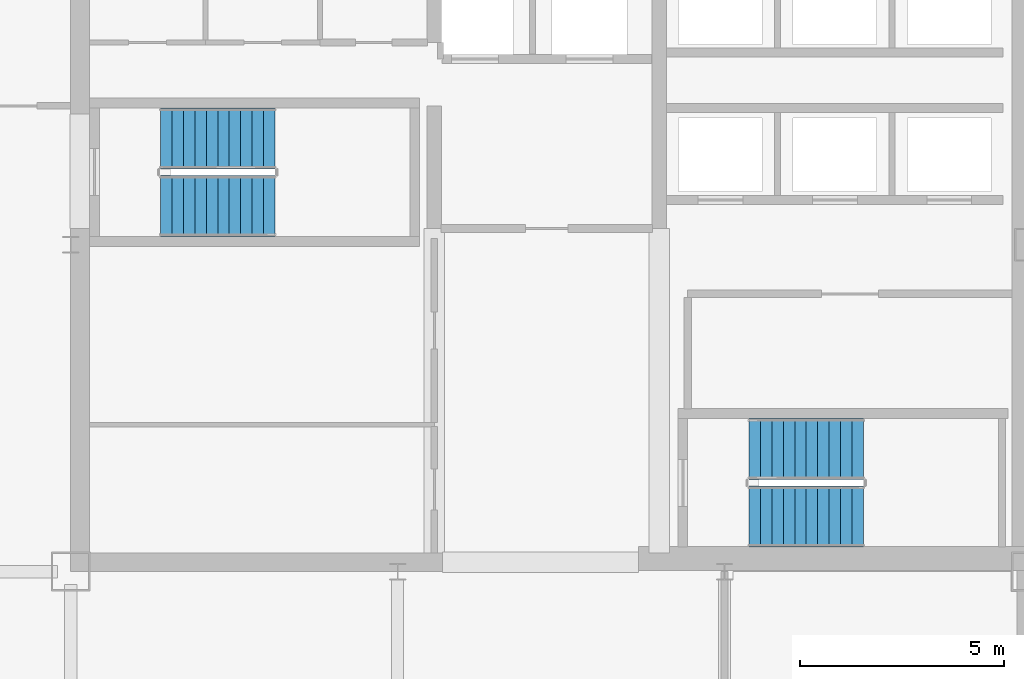
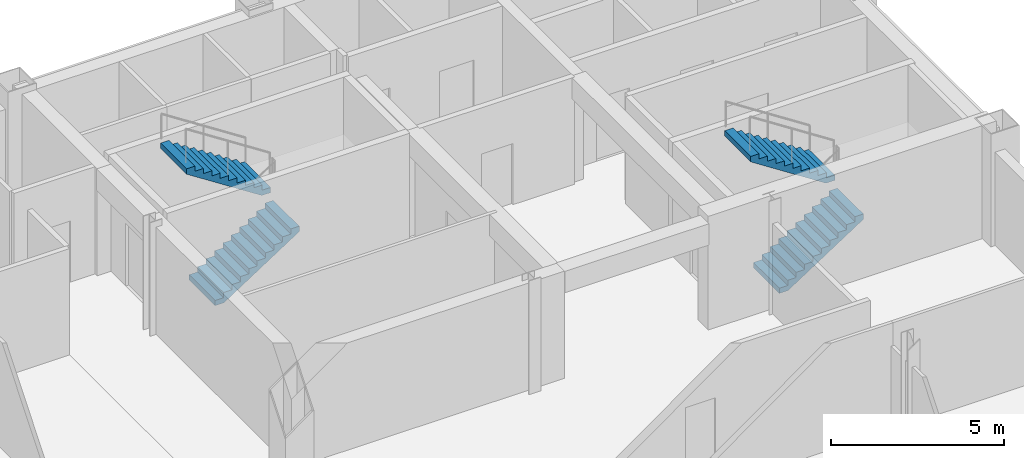
# One storey, part 7 of 9: 4 stair flights, 2 elements without a shape of their own.
"""IFC4 building model written with IfcOpenShell, lengths in metres."""

from ifc_helpers import new_model, si_unit, direction, frame, origin, place, context, subcontext, project, spatial, polyline, outline, extrude, material, type_object, element, aggregate, save


model = new_model("IFC4")

# Units and contexts
model_context = context("Model", 3, precision=1e-05, world=origin(), true_north=direction((0.0, 1.0)))
body_context = subcontext(model_context, "Body", "Model", "MODEL_VIEW")
ifc_project = project(units=[si_unit("LENGTHUNIT", "METRE"), si_unit("AREAUNIT", "SQUARE_METRE"), si_unit("VOLUMEUNIT", "CUBIC_METRE"), si_unit("PLANEANGLEUNIT", "RADIAN"), si_unit("MASSUNIT", "GRAM", prefix="KILO")], contexts=[model_context])

# Site, building, storey
site_placement = place(None, origin())
site = spatial("IfcSite", under=ifc_project, at=site_placement, CompositionType="ELEMENT")
building_placement = place(site_placement, origin())
building = spatial("IfcBuilding", under=site, at=building_placement, Name="Qianrong Seaharbour Tower", CompositionType="ELEMENT")
storey_placement = place(building_placement, frame((0.0, 0.0, 269.800048828125)))
storey = spatial("IfcBuildingStorey", under=building, at=storey_placement, Name="L65", CompositionType="ELEMENT", Elevation=269.800048828125)

# Stair, stair flights
ifc_material = material(Name="Concrete C50/60", Category="concrete")
stair_type = type_object("IfcStairType", Name="STAIR-DOGLEG-1500-R22", PredefinedType="HALF_TURN_STAIR", material=ifc_material)
stair_1_placement = place(storey_placement, origin())
stair_1 = element("IfcStair", 1, at=stair_1_placement, inside=storey, type_object=stair_type, Name="L65 Protected Escape Stair ST-1", PredefinedType="HALF_TURN_STAIR")
stair_flight_type = type_object("IfcStairFlightType", Name="FLIGHT-STR-1500-R22", PredefinedType="STRAIGHT", material=ifc_material)
stair_flight_1_placement = place(storey_placement, frame((42.699951171875, 44.949951171875, 0.0), z_axis=(0.0, 0.0, 1.0), x_axis=(1.0, 0.0, 0.0)))
stair_flight_1 = element("IfcStairFlight", 2, at=stair_flight_1_placement, type_object=stair_flight_type, Name="ST-1 flight 1", NumberOfRisers=11, NumberOfTreads=10, PredefinedType="STRAIGHT", RiserHeight=0.181818182, TreadLength=0.28, context=body_context, shape_type="SweptSolid", body=[
    extrude(outline(polyline([(0.0, 0.0), (0.0, 0.181884765625), (0.280029296875, 0.181884765625), (0.280029296875, 0.363525390625), (0.56005859375, 0.363525390625), (0.56005859375, 0.54541015625), (0.840087890625, 0.54541015625), (0.840087890625, 0.727294921875), (1.1201171875, 0.727294921875), (1.1201171875, 0.9091796875), (1.39990234375, 0.9091796875), (1.39990234375, 1.0908203125), (1.679931640625, 1.0908203125), (1.679931640625, 1.272705078125), (1.9599609375, 1.272705078125), (1.9599609375, 1.45458984375), (2.239990234375, 1.45458984375), (2.239990234375, 1.636474609375), (2.52001953125, 1.636474609375), (2.52001953125, 1.818115234375), (2.800048828125, 1.818115234375), (2.800048828125, 2.0), (2.800048828125, 1.62744140625), (0.293701171875, 0.0), (0.0, 0.0)])), frame((0.0, 0.75, 0.0), z_axis=(0.0, -1.0, 0.0), x_axis=(1.0, 0.0, 0.0)), (0.0, 0.0, 1.0), 1.5),
])
stair_flight_2_placement = place(storey_placement, frame((45.5, 46.60009765625, 2.0), z_axis=(0.0, 0.0, 1.0), x_axis=(-1.0, 0.0, 0.0)))
stair_flight_2 = element("IfcStairFlight", 3, at=stair_flight_2_placement, type_object=stair_flight_type, Name="ST-1 flight 2", NumberOfRisers=11, NumberOfTreads=10, PredefinedType="STRAIGHT", RiserHeight=0.181818182, TreadLength=0.28, context=body_context, shape_type="SweptSolid", body=[
    extrude(outline(polyline([(0.0, 0.0), (0.0, 0.181884765625), (0.280029296875, 0.181884765625), (0.280029296875, 0.363525390625), (0.56005859375, 0.363525390625), (0.56005859375, 0.54541015625), (0.840087890625, 0.54541015625), (0.840087890625, 0.727294921875), (1.1201171875, 0.727294921875), (1.1201171875, 0.9091796875), (1.39990234375, 0.9091796875), (1.39990234375, 1.0908203125), (1.679931640625, 1.0908203125), (1.679931640625, 1.272705078125), (1.9599609375, 1.272705078125), (1.9599609375, 1.45458984375), (2.239990234375, 1.45458984375), (2.239990234375, 1.636474609375), (2.52001953125, 1.636474609375), (2.52001953125, 1.818115234375), (2.800048828125, 1.818115234375), (2.800048828125, 2.0), (2.800048828125, 1.62744140625), (0.293701171875, 0.0), (0.0, 0.0)])), frame((0.0, 0.75, 0.0), z_axis=(0.0, -1.0, 0.0), x_axis=(1.0, 0.0, 0.0)), (0.0, 0.0, 1.0), 1.5),
])
aggregate(stair_1, [stair_flight_1, stair_flight_2])

stair_2_placement = place(storey_placement, origin())
stair_2 = element("IfcStair", 4, at=stair_2_placement, inside=storey, type_object=stair_type, Name="L65 Protected Escape Stair ST-2", PredefinedType="HALF_TURN_STAIR")
stair_flight_3_placement = place(storey_placement, frame((57.10009765625, 37.35009765625, 0.0), z_axis=(0.0, 0.0, 1.0), x_axis=(1.0, 0.0, 0.0)))
stair_flight_3 = element("IfcStairFlight", 5, at=stair_flight_3_placement, type_object=stair_flight_type, Name="ST-2 flight 1", NumberOfRisers=11, NumberOfTreads=10, PredefinedType="STRAIGHT", RiserHeight=0.181818182, TreadLength=0.28, context=body_context, shape_type="SweptSolid", body=[
    extrude(outline(polyline([(0.0, 0.0), (0.0, 0.181884765625), (0.280029296875, 0.181884765625), (0.280029296875, 0.363525390625), (0.56005859375, 0.363525390625), (0.56005859375, 0.54541015625), (0.840087890625, 0.54541015625), (0.840087890625, 0.727294921875), (1.1201171875, 0.727294921875), (1.1201171875, 0.9091796875), (1.39990234375, 0.9091796875), (1.39990234375, 1.0908203125), (1.679931640625, 1.0908203125), (1.679931640625, 1.272705078125), (1.9599609375, 1.272705078125), (1.9599609375, 1.45458984375), (2.239990234375, 1.45458984375), (2.239990234375, 1.636474609375), (2.52001953125, 1.636474609375), (2.52001953125, 1.818115234375), (2.800048828125, 1.818115234375), (2.800048828125, 2.0), (2.800048828125, 1.62744140625), (0.293701171875, 0.0), (0.0, 0.0)])), frame((0.0, 0.75, 0.0), z_axis=(0.0, -1.0, 0.0), x_axis=(1.0, 0.0, 0.0)), (0.0, 0.0, 1.0), 1.5),
])
stair_flight_4_placement = place(storey_placement, frame((59.89990234375, 39.0, 2.0), z_axis=(0.0, 0.0, 1.0), x_axis=(-1.0, 0.0, 0.0)))
stair_flight_4 = element("IfcStairFlight", 6, at=stair_flight_4_placement, type_object=stair_flight_type, Name="ST-2 flight 2", NumberOfRisers=11, NumberOfTreads=10, PredefinedType="STRAIGHT", RiserHeight=0.181818182, TreadLength=0.28, context=body_context, shape_type="SweptSolid", body=[
    extrude(outline(polyline([(0.0, 0.0), (0.0, 0.181884765625), (0.280029296875, 0.181884765625), (0.280029296875, 0.363525390625), (0.56005859375, 0.363525390625), (0.56005859375, 0.54541015625), (0.840087890625, 0.54541015625), (0.840087890625, 0.727294921875), (1.1201171875, 0.727294921875), (1.1201171875, 0.9091796875), (1.39990234375, 0.9091796875), (1.39990234375, 1.0908203125), (1.679931640625, 1.0908203125), (1.679931640625, 1.272705078125), (1.9599609375, 1.272705078125), (1.9599609375, 1.45458984375), (2.239990234375, 1.45458984375), (2.239990234375, 1.636474609375), (2.52001953125, 1.636474609375), (2.52001953125, 1.818115234375), (2.800048828125, 1.818115234375), (2.800048828125, 2.0), (2.800048828125, 1.62744140625), (0.293701171875, 0.0), (0.0, 0.0)])), frame((0.0, 0.75, 0.0), z_axis=(0.0, -1.0, 0.0), x_axis=(1.0, 0.0, 0.0)), (0.0, 0.0, 1.0), 1.5),
])
aggregate(stair_2, [stair_flight_3, stair_flight_4])

save(model, "model.ifc")
